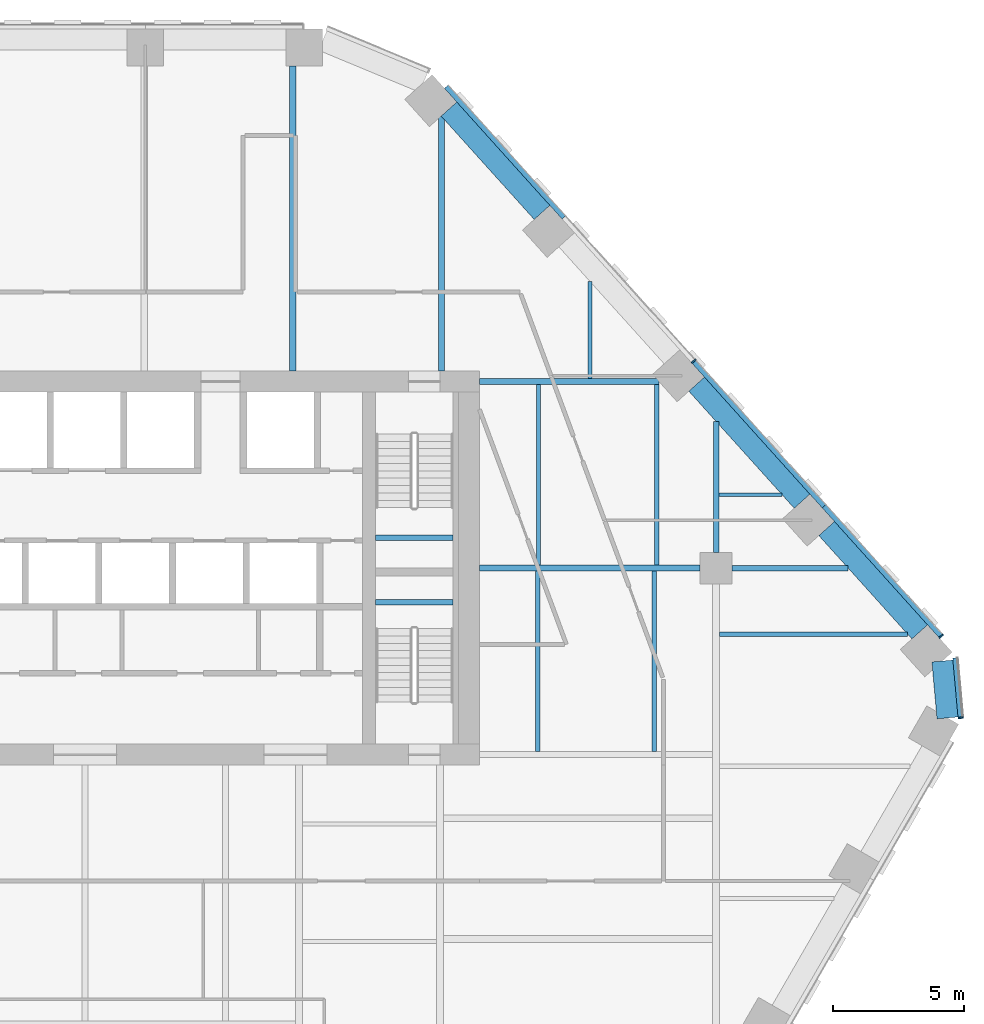
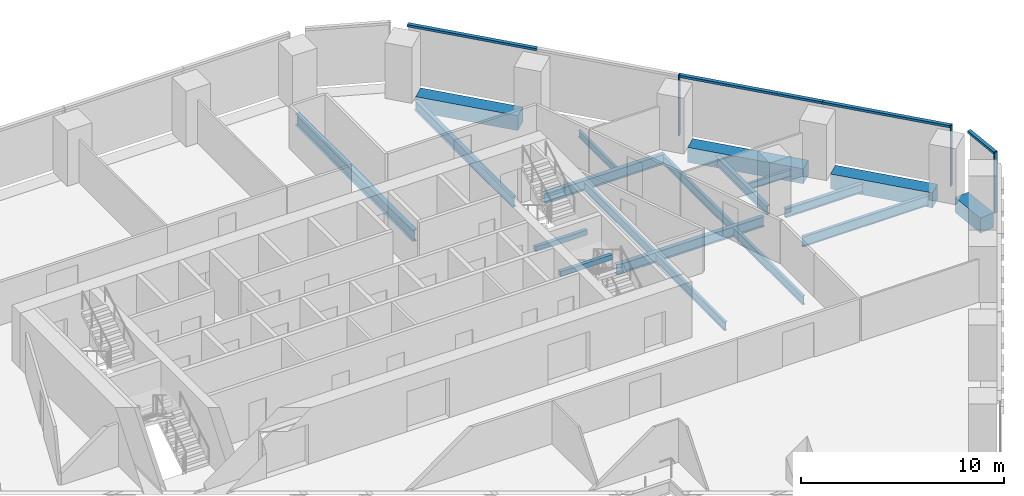
# One storey, part 8 of 17: 19 beams, 7 members, 2 elements without a shape of their own.
"""IFC4 building model written with IfcOpenShell, lengths in metres."""

from ifc_helpers import new_model, si_unit, direction, frame, origin, origin_2d, place, context, subcontext, project, spatial, rectangle, i_section, extrude, material, layer, layer_set, material_profile, profile_set, type_object, element, aggregate, save


model = new_model("IFC4")

# Units and contexts
model_context = context("Model", 3, precision=1e-05, world=origin(), true_north=direction((0.0, 1.0)))
body_context = subcontext(model_context, "Body", "Model", "MODEL_VIEW")
ifc_project = project(units=[si_unit("LENGTHUNIT", "METRE"), si_unit("AREAUNIT", "SQUARE_METRE"), si_unit("VOLUMEUNIT", "CUBIC_METRE"), si_unit("PLANEANGLEUNIT", "RADIAN"), si_unit("MASSUNIT", "GRAM", prefix="KILO")], contexts=[model_context])

# Site, building, storey
site_placement = place(None, origin())
site = spatial("IfcSite", under=ifc_project, at=site_placement, CompositionType="ELEMENT")
building_placement = place(site_placement, origin())
building = spatial("IfcBuilding", under=site, at=building_placement, Name="Isthmus Gate Tower", CompositionType="ELEMENT")
storey_placement = place(building_placement, frame((0.0, 0.0, 162.64990234375)))
storey = spatial("IfcBuildingStorey", under=building, at=storey_placement, Name="L40", CompositionType="ELEMENT", Elevation=162.64990234375)

# Curtain wall, member
ifc_material_1 = material(Name="Aluminium, pale champagne anodised", Category="aluminium")
ifc_layer = layer(ifc_material_1, 0.199951171875)
ifc_layer_set = layer_set([ifc_layer], Name="CW-1 UNITISED CURTAIN WALL 200 DEEP")
curtain_wall_type = type_object("IfcCurtainWallType", Name="CW-1 UNITISED CURTAIN WALL 200 DEEP", PredefinedType="NOTDEFINED", material=ifc_layer_set)
curtain_wall_1_placement = place(storey_placement, origin())
curtain_wall_1 = element("IfcCurtainWall", 1, at=curtain_wall_1_placement, inside=storey, type_object=curtain_wall_type, Name="CW-1 SE-NE L40", PredefinedType="NOTDEFINED")
ifc_material_2 = material(Name="Aluminium, pale champagne anodised", Category="aluminium")
ifc_material_profile_1 = material_profile(ifc_material_2, rectangle(XDim=0.06005859375, YDim=0.199951171875, at=origin_2d()), Name="60x200")
ifc_profile_set_1 = profile_set([ifc_material_profile_1], Name="Aluminium, pale champagne anodised")
member_type_1 = type_object("IfcMemberType", Name="CW-1 MULLION 60 X 200", PredefinedType="MULLION", material=ifc_profile_set_1)
member_1_placement = place(storey_placement, frame((33.307861328125, 1.804443359375, 0.0), z_axis=(0.0, 0.0, 1.0), x_axis=(-0.089396669717, 0.995996102123, 0.0)))
member_1 = element("IfcMember", 2, at=member_1_placement, type_object=member_type_1, Name="CW-1 mullion", PredefinedType="MULLION", context=body_context, shape_type="SweptSolid", body=[
    extrude(rectangle(XDim=0.06005859375, YDim=0.199951171875, at=origin_2d()), origin(), (0.0, 0.0, 1.0), 3.650146484375),
])

# Curtain wall, members
curtain_wall_2_placement = place(storey_placement, origin())
curtain_wall_2 = element("IfcCurtainWall", 3, at=curtain_wall_2_placement, inside=storey, type_object=curtain_wall_type, Name="CW-1 NE L40", PredefinedType="NOTDEFINED")
member_2_placement = place(storey_placement, frame((32.5693359375, 4.908447265625, 0.0), z_axis=(0.0, 0.0, 1.0), x_axis=(-0.669130606359, 0.743144825477, 0.0)))
member_2 = element("IfcMember", 4, at=member_2_placement, type_object=member_type_1, Name="CW-1 mullion", PredefinedType="MULLION", context=body_context, shape_type="SweptSolid", body=[
    extrude(rectangle(XDim=0.06005859375, YDim=0.199951171875, at=origin_2d()), origin(), (0.0, 0.0, 1.0), 3.650146484375),
])
member_3_placement = place(storey_placement, frame((23.14697265625, 15.373046875, 0.0), z_axis=(0.0, 0.0, 1.0), x_axis=(-0.669130606359, 0.743144825477, 0.0)))
member_3 = element("IfcMember", 5, at=member_3_placement, type_object=member_type_1, Name="CW-1 mullion", PredefinedType="MULLION", context=body_context, shape_type="SweptSolid", body=[
    extrude(rectangle(XDim=0.06005859375, YDim=0.199951171875, at=origin_2d()), origin(), (0.0, 0.0, 1.0), 3.650146484375),
])

# Member
ifc_material_3 = material(Name="Aluminium, pale champagne anodised", Category="aluminium")
ifc_material_profile_2 = material_profile(ifc_material_3, rectangle(XDim=0.199951171875, YDim=0.139892578125, at=origin_2d()), Name="200x140")
ifc_profile_set_2 = profile_set([ifc_material_profile_2], Name="Aluminium, pale champagne anodised")
member_type_2 = type_object("IfcMemberType", Name="CW-1 TRANSOM 200 X 140", PredefinedType="USERDEFINED", material=ifc_profile_set_2)
member_4_placement = place(storey_placement, frame((33.30517578125, 1.83447265625, 3.580078125), z_axis=(-0.089395362867, 0.995996219419, 0.0), x_axis=(-0.995996219419, -0.089395362867, 0.0)))
member_4 = element("IfcMember", 6, at=member_4_placement, type_object=member_type_2, Name="CW-1 transom", ObjectType="TRANSOM", PredefinedType="USERDEFINED", context=body_context, shape_type="SweptSolid", body=[
    extrude(rectangle(XDim=0.199951171875, YDim=0.139892578125, at=origin_2d()), origin(), (0.0, 0.0, 1.0), 2.258544921875),
])

aggregate(curtain_wall_1, [member_1, member_4])

member_5_placement = place(storey_placement, frame((32.54931640625, 4.930908203125, 3.580078125), z_axis=(-0.669153891975, 0.743123858354, 0.0), x_axis=(-0.743123858354, -0.669153891975, 0.0)))
member_5 = element("IfcMember", 7, at=member_5_placement, type_object=member_type_2, Name="CW-1 transom", ObjectType="TRANSOM", PredefinedType="USERDEFINED", context=body_context, shape_type="SweptSolid", body=[
    extrude(rectangle(XDim=0.199951171875, YDim=0.139892578125, at=origin_2d()), origin(), (0.0, 0.0, 1.0), 6.630859375),
])

member_6_placement = place(storey_placement, frame((28.1123046875, 9.8583984375, 3.580078125), z_axis=(-0.669123495435, 0.74315122812, 0.0), x_axis=(-0.74315122812, -0.669123495435, 0.0)))
member_6 = element("IfcMember", 8, at=member_6_placement, type_object=member_type_2, Name="CW-1 transom", ObjectType="TRANSOM", PredefinedType="USERDEFINED", context=body_context, shape_type="SweptSolid", body=[
    extrude(rectangle(XDim=0.199951171875, YDim=0.139892578125, at=origin_2d()), origin(), (0.0, 0.0, 1.0), 7.390625),
])

member_7_placement = place(storey_placement, frame((18.221435546875, 20.84326171875, 3.580078125), z_axis=(-0.669117935274, 0.743156234378, 0.0), x_axis=(-0.743156234378, -0.669117935274, 0.0)))
member_7 = element("IfcMember", 9, at=member_7_placement, type_object=member_type_2, Name="CW-1 transom", ObjectType="TRANSOM", PredefinedType="USERDEFINED", context=body_context, shape_type="SweptSolid", body=[
    extrude(rectangle(XDim=0.199951171875, YDim=0.139892578125, at=origin_2d()), origin(), (0.0, 0.0, 1.0), 6.690673828125),
])

aggregate(curtain_wall_2, [member_2, member_5, member_6, member_3, member_7])

# Beams
ifc_material_4 = material(Name="Concrete f'c 60 MPa", Category="concrete")
ifc_material_profile_3 = material_profile(ifc_material_4, rectangle(XDim=0.800048828125, YDim=0.89990234375, at=origin_2d()), Name="RC 800X900")
ifc_profile_set_3 = profile_set([ifc_material_profile_3], Name="Concrete f'c 60 MPa")
beam_type_1 = type_object("IfcBeamType", Name="RC SPANDREL 800 X 900", PredefinedType="SPANDREL", material=ifc_profile_set_3)
beam_1_placement = place(storey_placement, frame((13.84130859375, 24.960693359375, -0.449951171875), z_axis=(0.669153370522, -0.743124327901, 0.0), x_axis=(0.743124327901, 0.669153370522, 0.0)))
element("IfcBeam", 10, at=beam_1_placement, inside=storey, type_object=beam_type_1, Name="str-spandrel-L40-01", PredefinedType="SPANDREL", context=body_context, shape_type="SweptSolid", body=[
    extrude(rectangle(XDim=0.800048828125, YDim=0.89990234375, at=origin_2d()), origin(), (0.0, 0.0, 1.0), 5.290771484375),
])
beam_2_placement = place(storey_placement, frame((23.263671875, 14.49609375, -0.449951171875), z_axis=(0.669156088603, -0.74312188037, 0.0), x_axis=(0.74312188037, 0.669156088603, 0.0)))
element("IfcBeam", 11, at=beam_2_placement, inside=storey, type_object=beam_type_1, Name="str-spandrel-L40-03", PredefinedType="SPANDREL", context=body_context, shape_type="SweptSolid", body=[
    extrude(rectangle(XDim=0.800048828125, YDim=0.89990234375, at=origin_2d()), origin(), (0.0, 0.0, 1.0), 5.99072265625),
])
beam_3_placement = place(storey_placement, frame((28.209228515625, 9.003662109375, -0.449951171875), z_axis=(0.669130424574, -0.743144989157, 0.0), x_axis=(0.743144989157, 0.669130424574, 0.0)))
element("IfcBeam", 12, at=beam_3_placement, inside=storey, type_object=beam_type_1, Name="str-spandrel-L40-04", PredefinedType="SPANDREL", context=body_context, shape_type="SweptSolid", body=[
    extrude(rectangle(XDim=0.800048828125, YDim=0.89990234375, at=origin_2d()), origin(), (0.0, 0.0, 1.0), 5.290771484375),
])
beam_4_placement = place(storey_placement, frame((32.61181640625, 3.964599609375, -0.449951171875), z_axis=(0.089421511639, -0.995993872098, 0.0), x_axis=(0.995993872098, 0.089421511639, 0.0)))
element("IfcBeam", 13, at=beam_4_placement, inside=storey, type_object=beam_type_1, Name="str-spandrel-L40-05", PredefinedType="SPANDREL", context=body_context, shape_type="SweptSolid", body=[
    extrude(rectangle(XDim=0.800048828125, YDim=0.89990234375, at=origin_2d()), origin(), (0.0, 0.0, 1.0), 2.17333984375),
])
ifc_material_5 = material(Name="Concrete f'c 40 MPa", Category="concrete")
ifc_material_profile_4 = material_profile(ifc_material_5, rectangle(XDim=0.199951171875, YDim=0.300048828125, at=origin_2d()), Name="STAIR LANDING BEAM RC 200 X 300")
ifc_profile_set_4 = profile_set([ifc_material_profile_4], Name="Concrete f'c 40 MPa")
beam_type_2 = type_object("IfcBeamType", Name="STAIR LANDING BEAM RC 200 X 300", PredefinedType="BEAM", material=ifc_profile_set_4)
for number, where, z_axis, x_axis, name in (
    (14, (11.050048828125, 8.64990234375, 1.47509765625), (1.0, 0.0, 0.0), (0.0, 1.0, 0.0), "L40 ST2 landing beam 1"),
    (15, (11.050048828125, 6.199951171875, 1.47509765625), (1.0, 0.0, 0.0), (0.0, 1.0, 0.0), "L40 ST8 landing beam 1"),
):
    element("IfcBeam", number, at=place(storey_placement, frame(where, z_axis=z_axis, x_axis=x_axis)), inside=storey, type_object=beam_type_2, Name=name, PredefinedType="BEAM", context=body_context, shape_type="SweptSolid", body=[
        extrude(rectangle(XDim=0.199951171875, YDim=0.300048828125, at=origin_2d()), origin(), (0.0, 0.0, 1.0), 2.949951171875),
    ])
ifc_material_6 = material(Name="Structural steel ASTM A992 Gr 50", Category="steel")
ifc_material_profile_5 = material_profile(ifc_material_6, i_section(OverallWidth=0.1396484375, OverallDepth=0.4033203125, WebThickness=0.00634765625, FlangeThickness=0.010986328125, at=origin_2d()), Name="W16X31")
ifc_profile_set_5 = profile_set([ifc_material_profile_5], Name="Structural steel ASTM A992 Gr 50")
beam_type_3 = type_object("IfcBeamType", Name="STEEL FLOOR BEAM W16X31", PredefinedType="JOIST", material=ifc_profile_set_5)
beam_5_placement = place(storey_placement, frame((19.204345703125, 14.71435546875, -0.3515625), z_axis=(0.0, 1.0, 0.0), x_axis=(-1.0, 0.0, 0.0)))
element("IfcBeam", 16, at=beam_5_placement, inside=storey, type_object=beam_type_3, Name="str-beam-L40-05-07", PredefinedType="JOIST", context=body_context, shape_type="SweptSolid", body=[
    extrude(i_section(OverallWidth=0.1396484375, OverallDepth=0.4033203125, WebThickness=0.00634765625, FlangeThickness=0.010986328125, at=origin_2d()), origin(), (0.0, 0.0, 1.0), 3.6923828125),
])
beam_6_placement = place(storey_placement, frame((24.104736328125, 10.284423828125, -0.3515625), z_axis=(1.0, 0.0, 0.0), x_axis=(0.0, 1.0, 0.0)))
element("IfcBeam", 17, at=beam_6_placement, inside=storey, type_object=beam_type_3, Name="str-beam-L40-15-00", PredefinedType="JOIST", context=body_context, shape_type="SweptSolid", body=[
    extrude(i_section(OverallWidth=0.1396484375, OverallDepth=0.4033203125, WebThickness=0.00634765625, FlangeThickness=0.010986328125, at=origin_2d()), origin(), (0.0, 0.0, 1.0), 2.412841796875),
])
ifc_material_7 = material(Name="Structural steel ASTM A992 Gr 50", Category="steel")
ifc_material_profile_6 = material_profile(ifc_material_7, i_section(OverallWidth=0.1650390625, OverallDepth=0.52392578125, WebThickness=0.009521484375, FlangeThickness=0.010986328125, at=origin_2d()), Name="W21X44")
ifc_profile_set_6 = profile_set([ifc_material_profile_6], Name="Structural steel ASTM A992 Gr 50")
beam_type_4 = type_object("IfcBeamType", Name="STEEL FLOOR BEAM W21X44", PredefinedType="JOIST", material=ifc_profile_set_6)
for number, where, z_axis, x_axis, name in (
    (18, (17.25, 7.6142578125, -0.411865234375), (0.0, 1.0, 0.0), (-1.0, 0.0, 0.0), "str-beam-L40-13-00"),
    (19, (21.75, 7.6142578125, -0.411865234375), (0.0, 1.0, 0.0), (-1.0, 0.0, 0.0), "str-beam-L40-13-01"),
    (20, (17.216552734375, 0.514404296875, -0.411865234375), (0.0, 1.0, 0.0), (-1.0, 0.0, 0.0), "str-beam-L40-14-00"),
    (21, (21.64990234375, 0.514404296875, -0.411865234375), (0.0, 1.0, 0.0), (-1.0, 0.0, 0.0), "str-beam-L40-14-01"),
):
    element("IfcBeam", number, at=place(storey_placement, frame(where, z_axis=z_axis, x_axis=x_axis)), inside=storey, type_object=beam_type_4, Name=name, PredefinedType="JOIST", context=body_context, shape_type="SweptSolid", body=[
        extrude(i_section(OverallWidth=0.1650390625, OverallDepth=0.52392578125, WebThickness=0.009521484375, FlangeThickness=0.010986328125, at=origin_2d()), origin(), (0.0, 0.0, 1.0), 6.871337890625),
    ])
ifc_material_8 = material(Name="Structural steel ASTM A992 Gr 50", Category="steel")
ifc_material_profile_7 = material_profile(ifc_material_8, i_section(OverallWidth=0.177734375, OverallDepth=0.60009765625, WebThickness=0.009521484375, FlangeThickness=0.0126953125, at=origin_2d()), Name="W24X55")
ifc_profile_set_7 = profile_set([ifc_material_profile_7], Name="Structural steel ASTM A992 Gr 50")
beam_type_5 = type_object("IfcBeamType", Name="STEEL FLOOR BEAM W24X55", PredefinedType="JOIST", material=ifc_profile_set_7)
beam_7_placement = place(storey_placement, frame((24.13330078125, 4.987548828125, -0.449951171875), z_axis=(1.0, 0.0, 0.0), x_axis=(0.0, 1.0, 0.0)))
element("IfcBeam", 22, at=beam_7_placement, inside=storey, type_object=beam_type_5, Name="str-beam-L40-16-02", PredefinedType="JOIST", context=body_context, shape_type="SweptSolid", body=[
    extrude(i_section(OverallWidth=0.177734375, OverallDepth=0.60009765625, WebThickness=0.009521484375, FlangeThickness=0.0126953125, at=origin_2d()), origin(), (0.0, 0.0, 1.0), 7.15380859375),
])
ifc_material_9 = material(Name="Structural steel ASTM A992 Gr 50", Category="steel")
ifc_material_profile_8 = material_profile(ifc_material_9, i_section(OverallWidth=0.228515625, OverallDepth=0.603271484375, WebThickness=0.010986328125, FlangeThickness=0.014404296875, at=origin_2d()), Name="W24X68")
ifc_profile_set_8 = profile_set([ifc_material_profile_8], Name="Structural steel ASTM A992 Gr 50")
beam_type_6 = type_object("IfcBeamType", Name="STEEL FLOOR BEAM W24X68", PredefinedType="JOIST", material=ifc_profile_set_8)
beam_8_placement = place(storey_placement, frame((13.5537109375, 15.0, -0.451416015625), z_axis=(0.0, 1.0, 0.0), x_axis=(-1.0, 0.0, 0.0)))
element("IfcBeam", 23, at=beam_8_placement, inside=storey, type_object=beam_type_6, Name="str-beam-L40-05-06", PredefinedType="JOIST", context=body_context, shape_type="SweptSolid", body=[
    extrude(i_section(OverallWidth=0.228515625, OverallDepth=0.603271484375, WebThickness=0.010986328125, FlangeThickness=0.014404296875, at=origin_2d()), origin(), (0.0, 0.0, 1.0), 9.682373046875),
])
ifc_material_10 = material(Name="Structural steel ASTM A992 Gr 50", Category="steel")
ifc_material_profile_9 = material_profile(ifc_material_10, i_section(OverallWidth=0.25390625, OverallDepth=0.679443359375, WebThickness=0.010986328125, FlangeThickness=0.015869140625, at=origin_2d()), Name="W27X84")
ifc_profile_set_9 = profile_set([ifc_material_profile_9], Name="Structural steel ASTM A992 Gr 50")
beam_type_7 = type_object("IfcBeamType", Name="STEEL FLOOR BEAM W27X84", PredefinedType="JOIST", material=ifc_profile_set_9)
beam_9_placement = place(storey_placement, frame((7.903076171875, 15.0, -0.489501953125), z_axis=(0.0, 1.0, 0.0), x_axis=(-1.0, 0.0, 0.0)))
element("IfcBeam", 24, at=beam_9_placement, inside=storey, type_object=beam_type_7, Name="str-beam-L40-05-05", PredefinedType="JOIST", context=body_context, shape_type="SweptSolid", body=[
    extrude(i_section(OverallWidth=0.25390625, OverallDepth=0.679443359375, WebThickness=0.010986328125, FlangeThickness=0.015869140625, at=origin_2d()), origin(), (0.0, 0.0, 1.0), 11.60009765625),
])
ifc_material_11 = material(Name="Structural steel ASTM A992 Gr 50", Category="steel")
ifc_material_profile_10 = material_profile(ifc_material_11, i_section(OverallWidth=0.20947265625, OverallDepth=0.533447265625, WebThickness=0.009521484375, FlangeThickness=0.015869140625, at=origin_2d()), Name="W21X62")
ifc_profile_set_10 = profile_set([ifc_material_profile_10], Name="Structural steel ASTM A992 Gr 50")
beam_type_8 = type_object("IfcBeamType", Name="STEEL GIRDER W21X62", PredefinedType="BEAM", material=ifc_profile_set_10)
beam_10_placement = place(storey_placement, frame((24.60009765625, 7.5, -0.41650390625), z_axis=(1.0, 0.0, 0.0), x_axis=(0.0, 1.0, 0.0)))
element("IfcBeam", 25, at=beam_10_placement, inside=storey, type_object=beam_type_8, Name="str-girder-L40-06", PredefinedType="BEAM", context=body_context, shape_type="SweptSolid", body=[
    extrude(i_section(OverallWidth=0.20947265625, OverallDepth=0.533447265625, WebThickness=0.009521484375, FlangeThickness=0.015869140625, at=origin_2d()), origin(), (0.0, 0.0, 1.0), 4.4248046875),
])
beam_11_placement = place(storey_placement, frame((24.0, 8.10009765625, -0.41650390625), z_axis=(0.0, 1.0, 0.0), x_axis=(-1.0, 0.0, 0.0)))
element("IfcBeam", 26, at=beam_11_placement, inside=storey, type_object=beam_type_8, Name="str-girder-L40-12", PredefinedType="BEAM", context=body_context, shape_type="SweptSolid", body=[
    extrude(i_section(OverallWidth=0.20947265625, OverallDepth=0.533447265625, WebThickness=0.009521484375, FlangeThickness=0.015869140625, at=origin_2d()), origin(), (0.0, 0.0, 1.0), 4.98046875),
])
ifc_material_12 = material(Name="Structural steel ASTM A992 Gr 50", Category="steel")
ifc_material_profile_11 = material_profile(ifc_material_12, i_section(OverallWidth=0.228515625, OverallDepth=0.603271484375, WebThickness=0.010986328125, FlangeThickness=0.014404296875, at=origin_2d()), Name="W24X68")
ifc_profile_set_11 = profile_set([ifc_material_profile_11], Name="Structural steel ASTM A992 Gr 50")
beam_type_9 = type_object("IfcBeamType", Name="STEEL GIRDER W24X68", PredefinedType="BEAM", material=ifc_profile_set_11)
beam_12_placement = place(storey_placement, frame((15.0, 14.60009765625, -0.451416015625), z_axis=(1.0, 0.0, 0.0), x_axis=(0.0, 1.0, 0.0)))
element("IfcBeam", 27, at=beam_12_placement, inside=storey, type_object=beam_type_9, Name="str-girder-L40-16", PredefinedType="BEAM", context=body_context, shape_type="SweptSolid", body=[
    extrude(i_section(OverallWidth=0.228515625, OverallDepth=0.603271484375, WebThickness=0.010986328125, FlangeThickness=0.014404296875, at=origin_2d()), origin(), (0.0, 0.0, 1.0), 6.824462890625),
])
ifc_material_13 = material(Name="Structural steel ASTM A992 Gr 50", Category="steel")
ifc_material_profile_12 = material_profile(ifc_material_13, i_section(OverallWidth=0.228515625, OverallDepth=0.6064453125, WebThickness=0.010986328125, FlangeThickness=0.017578125, at=origin_2d()), Name="W24X76")
ifc_profile_set_12 = profile_set([ifc_material_profile_12], Name="Structural steel ASTM A992 Gr 50")
beam_type_10 = type_object("IfcBeamType", Name="STEEL GIRDER W24X76", PredefinedType="BEAM", material=ifc_profile_set_12)
beam_13_placement = place(storey_placement, frame((15.0, 7.5, -0.453125), z_axis=(1.0, 0.0, 0.0), x_axis=(0.0, 1.0, 0.0)))
element("IfcBeam", 28, at=beam_13_placement, inside=storey, type_object=beam_type_10, Name="str-girder-L40-05", PredefinedType="BEAM", context=body_context, shape_type="SweptSolid", body=[
    extrude(i_section(OverallWidth=0.228515625, OverallDepth=0.6064453125, WebThickness=0.010986328125, FlangeThickness=0.017578125, at=origin_2d()), origin(), (0.0, 0.0, 1.0), 8.39990234375),
])

save(model, "model.ifc")
